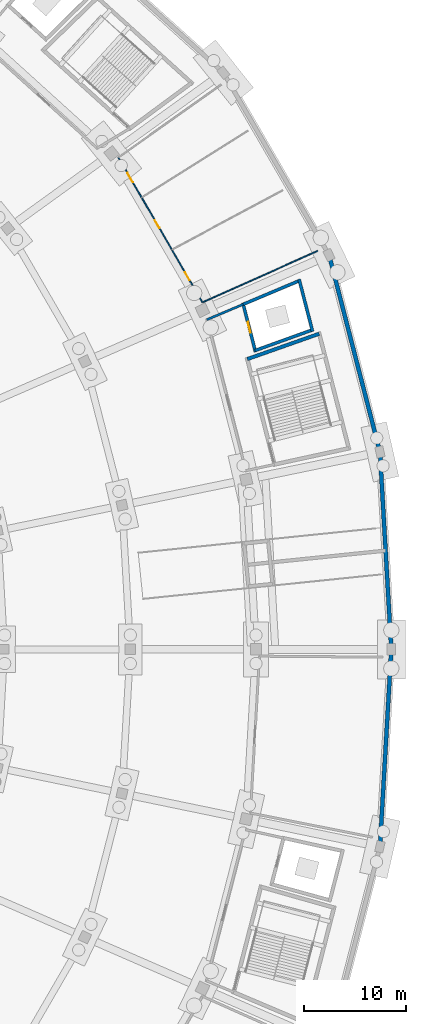
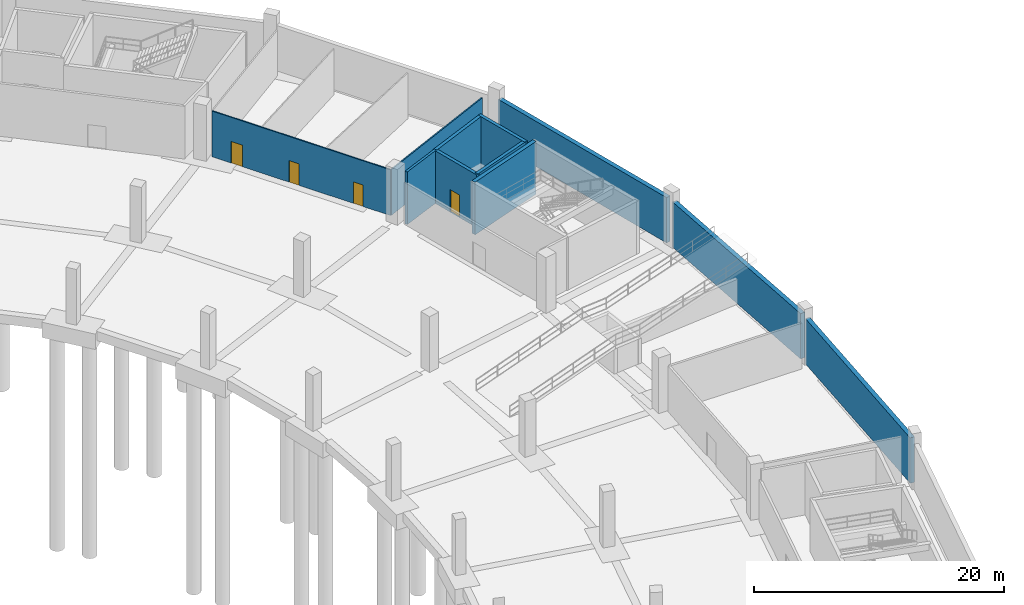
# One storey, part 15 of 49: 11 walls, 4 doors, 4 openings.
"""IFC4 building model written with IfcOpenShell, lengths in metres."""

from ifc_helpers import new_model, si_unit, direction, frame, frame_2d, origin, place, context, subcontext, project, spatial, rectangle, extrude, material, layer, layer_set, type_object, element, fill, save


model = new_model("IFC4")

# Units and contexts
model_context = context("Model", 3, precision=1e-05, world=origin(), true_north=direction((0.0, 1.0)))
body_context = subcontext(model_context, "Body", "Model", "MODEL_VIEW")
ifc_project = project(units=[si_unit("LENGTHUNIT", "METRE"), si_unit("AREAUNIT", "SQUARE_METRE"), si_unit("VOLUMEUNIT", "CUBIC_METRE"), si_unit("PLANEANGLEUNIT", "RADIAN"), si_unit("MASSUNIT", "GRAM", prefix="KILO")], contexts=[model_context])

# Site, building, storey
site_placement = place(None, origin())
site = spatial("IfcSite", under=ifc_project, at=site_placement, CompositionType="ELEMENT")
building_placement = place(site_placement, origin())
building = spatial("IfcBuilding", under=site, at=building_placement, Name="Kazemori Nagisa Stadium", CompositionType="ELEMENT")
storey_placement = place(building_placement, frame((0.0, 0.0, -5.43994140625)))
storey = spatial("IfcBuildingStorey", under=building, at=storey_placement, Name="B1", CompositionType="ELEMENT", Elevation=-5.43994140625)

# Walls
ifc_material_1 = material(Name="Concrete C40/50 (Fc42)", Category="concrete")
ifc_layer_1 = layer(ifc_material_1, 0.39990234375, Name="Concrete C40/50 (Fc42)", Category="concrete")
ifc_layer_set_1 = layer_set([ifc_layer_1], Name="Concrete C40/50 (Fc42)")
wall_type_1 = type_object("IfcWallType", Name="Wall_W-B1-RET-400", PredefinedType="SOLIDWALL", material=ifc_layer_set_1)
wall_1_placement = place(storey_placement, frame((217.9775390625, 102.389404296875, 0.0), z_axis=(0.0, 0.0, 1.0), x_axis=(-0.057599295107, 0.99833978244, 0.0)))
element("IfcWall", 1, at=wall_1_placement, inside=storey, type_object=wall_type_1, Name="Basement perimeter retaining wall B1-01", PredefinedType="SOLIDWALL", context=body_context, shape_type="SweptSolid", body=[
    extrude(rectangle(XDim=18.64990234375, YDim=0.39990234375, at=frame_2d((9.324951171875, 0.0))), origin(), (0.0, 0.0, 1.0), 4.419921875),
])
wall_2_placement = place(storey_placement, frame((216.783203125, 121.775390625, 0.0), z_axis=(0.0, 0.0, 1.0), x_axis=(-0.249961059007, 0.968255890238, 0.0)))
element("IfcWall", 2, at=wall_2_placement, inside=storey, type_object=wall_type_1, Name="Basement perimeter retaining wall B1-02", PredefinedType="SOLIDWALL", context=body_context, shape_type="SweptSolid", body=[
    extrude(rectangle(XDim=19.2060546875, YDim=0.39990234375, at=frame_2d((9.60302734375, 0.0))), origin(), (0.0, 0.0, 1.0), 4.419921875),
])
wall_3_placement = place(storey_placement, frame((216.9033203125, 82.99169921875, 0.0), z_axis=(0.0, 0.0, 1.0), x_axis=(0.057599295107, 0.99833978244, 0.0)))
element("IfcWall", 3, at=wall_3_placement, inside=storey, type_object=wall_type_1, Name="Basement perimeter retaining wall B1-28", PredefinedType="SOLIDWALL", context=body_context, shape_type="SweptSolid", body=[
    extrude(rectangle(XDim=18.64990234375, YDim=0.39990234375, at=frame_2d((9.324951171875, 0.0))), origin(), (0.0, 0.0, 1.0), 4.419921875),
])
ifc_layer_2 = layer(ifc_material_1, 0.35009765625, Name="Concrete C40/50 (Fc42)", Category="concrete")
ifc_layer_set_2 = layer_set([ifc_layer_2], Name="Concrete C40/50 (Fc42)")
wall_type_2 = type_object("IfcWallType", Name="Wall_W-CORE-350", PredefinedType="SHEAR", material=ifc_layer_set_2)
wall_4_placement = place(storey_placement, frame((203.844970703125, 130.52294921875, 0.0), z_axis=(0.0, 0.0, 1.0), x_axis=(0.943032412173, 0.332700871042, 0.0)))
element("IfcWall", 4, at=wall_4_placement, inside=storey, type_object=wall_type_2, Name="Core stair right shear wall ST07 B1", PredefinedType="SHEAR", context=body_context, shape_type="SweptSolid", body=[
    extrude(rectangle(XDim=7.49658203125, YDim=0.35009765625, at=frame_2d((3.748291015625, 0.0))), origin(), (0.0, 0.0, 1.0), 5.139892578125),
])
ifc_material_2 = material(Name="Concrete C36/45 (Fc36)", Category="concrete")
ifc_layer_3 = layer(ifc_material_2, 0.219970703125, Name="Concrete C36/45 (Fc36)", Category="concrete")
ifc_layer_set_3 = layer_set([ifc_layer_3], Name="Concrete C36/45 (Fc36)")
wall_type_3 = type_object("IfcWallType", Name="Wall_W-LOBBY-220", PredefinedType="SOLIDWALL", material=ifc_layer_set_3)
wall_5_placement = place(storey_placement, frame((199.877197265625, 134.401123046875, 0.0), z_axis=(0.0, 0.0, 1.0), x_axis=(0.921486922561, 0.388409386535, 0.0)))
element("IfcWall", 5, at=wall_5_placement, inside=storey, type_object=wall_type_3, Name="Core lobby right wall ST07 B1", PredefinedType="SOLIDWALL", context=body_context, shape_type="SweptSolid", body=[
    extrude(rectangle(XDim=3.871337890625, YDim=0.219970703125, at=frame_2d((1.935546875, 0.0))), origin(), (0.0, 0.0, 1.0), 5.139892578125),
])

# Wall, openings, doors
ifc_material_3 = material(Name="Moisture-resistant gypsum board", Category="gypsum")
ifc_layer_4 = layer(ifc_material_3, 0.114990234375, Name="Moisture-resistant gypsum board", Category="gypsum")
ifc_layer_set_4 = layer_set([ifc_layer_4], Name="Moisture-resistant gypsum board")
wall_type_4 = type_object("IfcWallType", Name="Wall_W-PART-115", PredefinedType="PARTITIONING", material=ifc_layer_set_4)
wall_6_placement = place(storey_placement, frame((199.4375, 136.098876953125, 0.0), z_axis=(0.0, 0.0, 1.0), x_axis=(-0.501617777052, 0.865089362867, 0.0)))
wall_6 = element("IfcWall", 6, at=wall_6_placement, inside=storey, type_object=wall_type_4, Name="Sanitary block corridor partition B1-B03", PredefinedType="PARTITIONING", context=body_context, shape_type="SweptSolid", body=[
    extrude(rectangle(XDim=16.4638671875, YDim=0.114990234375, at=frame_2d((8.23193359375, 0.0))), origin(), (0.0, 0.0, 1.0), 4.4599609375),
])
opening_1_placement = place(wall_6_placement, frame((2.512939453125, 0.0, 0.0)))
opening_1 = element("IfcOpeningElement", 7, at=opening_1_placement, cuts=wall_6, Name="Opening D-WC-900", PredefinedType="OPENING", context=body_context, shape_type="SweptSolid", body=[
    extrude(rectangle(XDim=0.89990234375, YDim=2.10009765625, at=frame_2d((0.449951171875, 1.050048828125))), frame((0.0, 0.0673828125, 0.0), z_axis=(0.0, -1.0, 0.0), x_axis=(1.0, 0.0, 0.0)), (0.0, 0.0, 1.0), 0.135009765625),
])
opening_2_placement = place(wall_6_placement, frame((8.43994140625, 0.0, 0.0)))
opening_2 = element("IfcOpeningElement", 8, at=opening_2_placement, cuts=wall_6, Name="Opening D-WC-900", PredefinedType="OPENING", context=body_context, shape_type="SweptSolid", body=[
    extrude(rectangle(XDim=0.89990234375, YDim=2.10009765625, at=frame_2d((0.449951171875, 1.050048828125))), frame((0.0, 0.0673828125, 0.0), z_axis=(0.0, -1.0, 0.0), x_axis=(1.0, 0.0, 0.0)), (0.0, 0.0, 1.0), 0.135009765625),
])
opening_3_placement = place(wall_6_placement, frame((13.634033203125, 0.0, 0.0)))
opening_3 = element("IfcOpeningElement", 9, at=opening_3_placement, cuts=wall_6, Name="Opening D-AWC-1050", PredefinedType="OPENING", context=body_context, shape_type="SweptSolid", body=[
    extrude(rectangle(XDim=1.050048828125, YDim=2.10009765625, at=frame_2d((0.52490234375, 1.050048828125))), frame((0.0, 0.0673828125, 0.0), z_axis=(0.0, -1.0, 0.0), x_axis=(1.0, 0.0, 0.0)), (0.0, 0.0, 1.0), 0.135009765625),
])
ifc_material_4 = material(Name="High-pressure laminate on timber core", Category="wood")
door_type_1 = type_object("IfcDoorType", Name="Door_D-AWC-1050", OperationType="NOTDEFINED", PredefinedType="DOOR", material=ifc_material_4)
door_1_placement = place(opening_3_placement, origin())
door_1 = element("IfcDoor", 10, at=door_1_placement, inside=storey, type_object=door_type_1, Name="AWC entrance door B1-B03", OperationType="SINGLE_SWING_RIGHT", OverallHeight=2.10009765625, OverallWidth=1.050048828125, PredefinedType="DOOR", context=body_context, shape_type="SweptSolid", body=[
    extrude(rectangle(XDim=1.050048828125, YDim=2.10009765625, at=frame_2d((0.52490234375, 1.050048828125))), frame((0.0, 0.02490234375, 0.0), z_axis=(0.0, -1.0, 0.0), x_axis=(1.0, 0.0, 0.0)), (0.0, 0.0, 1.0), 0.050048828125),
])
fill(opening_3, door_1)
door_type_2 = type_object("IfcDoorType", Name="Door_D-WC-900", OperationType="NOTDEFINED", PredefinedType="DOOR", material=ifc_material_4)
door_2_placement = place(opening_1_placement, origin())
door_2 = element("IfcDoor", 11, at=door_2_placement, inside=storey, type_object=door_type_2, Name="MWC entrance door B1-B03", OperationType="SINGLE_SWING_RIGHT", OverallHeight=2.10009765625, OverallWidth=0.89990234375, PredefinedType="DOOR", context=body_context, shape_type="SweptSolid", body=[
    extrude(rectangle(XDim=0.89990234375, YDim=2.10009765625, at=frame_2d((0.449951171875, 1.050048828125))), frame((0.0, 0.02490234375, 0.0), z_axis=(0.0, -1.0, 0.0), x_axis=(1.0, 0.0, 0.0)), (0.0, 0.0, 1.0), 0.050048828125),
])
fill(opening_1, door_2)
door_3_placement = place(opening_2_placement, origin())
door_3 = element("IfcDoor", 12, at=door_3_placement, inside=storey, type_object=door_type_2, Name="FWC entrance door B1-B03", OperationType="SINGLE_SWING_LEFT", OverallHeight=2.10009765625, OverallWidth=0.89990234375, PredefinedType="DOOR", context=body_context, shape_type="SweptSolid", body=[
    extrude(rectangle(XDim=0.89990234375, YDim=2.10009765625, at=frame_2d((0.449951171875, 1.050048828125))), frame((0.0, 0.02490234375, 0.0), z_axis=(0.0, -1.0, 0.0), x_axis=(1.0, 0.0, 0.0)), (0.0, 0.0, 1.0), 0.050048828125),
])
fill(opening_2, door_3)

# Wall
wall_7_placement = place(storey_placement, frame((199.4375, 136.098876953125, 0.0), z_axis=(0.0, 0.0, 1.0), x_axis=(0.913245562849, 0.407409550621, 0.0)))
element("IfcWall", 13, at=wall_7_placement, inside=storey, type_object=wall_type_4, Name="Sanitary block L partition B1-B03", PredefinedType="PARTITIONING", context=body_context, shape_type="SweptSolid", body=[
    extrude(rectangle(XDim=12.399658203125, YDim=0.114990234375, at=frame_2d((6.19970703125, 0.0))), origin(), (0.0, 0.0, 1.0), 4.4599609375),
])

# Wall, opening, door
ifc_layer_5 = layer(ifc_material_1, 0.300048828125, Name="Concrete C40/50 (Fc42)", Category="concrete")
ifc_layer_set_5 = layer_set([ifc_layer_5], Name="Concrete C40/50 (Fc42)")
wall_type_5 = type_object("IfcWallType", Name="Wall_W-SHAFT-300", PredefinedType="SHEAR", material=ifc_layer_set_5)
wall_8_placement = place(storey_placement, frame((204.65380859375, 131.22119140625, 0.0), z_axis=(0.0, 0.0, 1.0), x_axis=(-0.250003862389, 0.968244839279, 0.0)))
wall_8 = element("IfcWall", 14, at=wall_8_placement, inside=storey, type_object=wall_type_5, Name="Lift shaft front wall LP5 B1", PredefinedType="SHEAR", context=body_context, shape_type="SweptSolid", body=[
    extrude(rectangle(XDim=4.9873046875, YDim=0.300048828125, at=frame_2d((2.49365234375, 0.0))), origin(), (0.0, 0.0, 1.0), 5.139892578125),
])
opening_4_placement = place(wall_8_placement, frame((1.944091796875, 0.0, 0.0)))
opening_4 = element("IfcOpeningElement", 15, at=opening_4_placement, cuts=wall_8, Name="Opening LD-PAX", PredefinedType="OPENING", context=body_context, shape_type="SweptSolid", body=[
    extrude(rectangle(XDim=1.10009765625, YDim=2.199951171875, at=frame_2d((0.550048828125, 1.10009765625))), frame((0.0, 0.159912109375, 0.0), z_axis=(0.0, -1.0, 0.0), x_axis=(1.0, 0.0, 0.0)), (0.0, 0.0, 1.0), 0.320068359375),
])
ifc_material_5 = material(Name="Stainless steel SUS304", Category="steel")
door_type_3 = type_object("IfcDoorType", Name="Door_LD-PAX", OperationType="SLIDING_TO_RIGHT", PredefinedType="DOOR", material=ifc_material_5)
door_4_placement = place(opening_4_placement, origin())
door_4 = element("IfcDoor", 16, at=door_4_placement, inside=storey, type_object=door_type_3, Name="Lift landing door LP5-B1", OperationType="SLIDING_TO_RIGHT", OverallHeight=2.199951171875, OverallWidth=1.10009765625, PredefinedType="DOOR", context=body_context, shape_type="SweptSolid", body=[
    extrude(rectangle(XDim=1.10009765625, YDim=2.199951171875, at=frame_2d((0.550048828125, 1.10009765625))), frame((0.0, 0.02490234375, 0.0), z_axis=(0.0, -1.0, 0.0), x_axis=(1.0, 0.0, 0.0)), (0.0, 0.0, 1.0), 0.050048828125),
])
fill(opening_4, door_4)

# Walls
wall_9_placement = place(storey_placement, frame((210.263671875, 133.23974609375, 0.0), z_axis=(0.0, 0.0, 1.0), x_axis=(-0.249961459705, 0.968255786795, 0.0)))
element("IfcWall", 17, at=wall_9_placement, inside=storey, type_object=wall_type_5, Name="Lift shaft B wall LP5 B1", PredefinedType="SHEAR", context=body_context, shape_type="SweptSolid", body=[
    extrude(rectangle(XDim=5.309326171875, YDim=0.300048828125, at=frame_2d((2.65478515625, 0.0))), origin(), (0.0, 0.0, 1.0), 5.139892578125),
])
wall_10_placement = place(storey_placement, frame((204.6162109375, 131.366455078125, 0.0), z_axis=(0.0, 0.0, 1.0), x_axis=(0.940945340179, 0.338558513103, 0.0)))
element("IfcWall", 18, at=wall_10_placement, inside=storey, type_object=wall_type_5, Name="Lift shaft L wall LP5 B1", PredefinedType="SHEAR", context=body_context, shape_type="SweptSolid", body=[
    extrude(rectangle(XDim=5.962158203125, YDim=0.300048828125, at=frame_2d((2.98095703125, 0.0))), origin(), (0.0, 0.0, 1.0), 5.139892578125),
])
wall_11_placement = place(storey_placement, frame((203.444580078125, 135.90478515625, 0.0), z_axis=(0.0, 0.0, 1.0), x_axis=(0.92149593043, 0.388388015007, 0.0)))
element("IfcWall", 19, at=wall_11_placement, inside=storey, type_object=wall_type_5, Name="Lift shaft R wall LP5 B1", PredefinedType="SHEAR", context=body_context, shape_type="SweptSolid", body=[
    extrude(rectangle(XDim=6.000732421875, YDim=0.300048828125, at=frame_2d((3.00048828125, 0.0))), origin(), (0.0, 0.0, 1.0), 5.139892578125),
])

save(model, "model.ifc")
